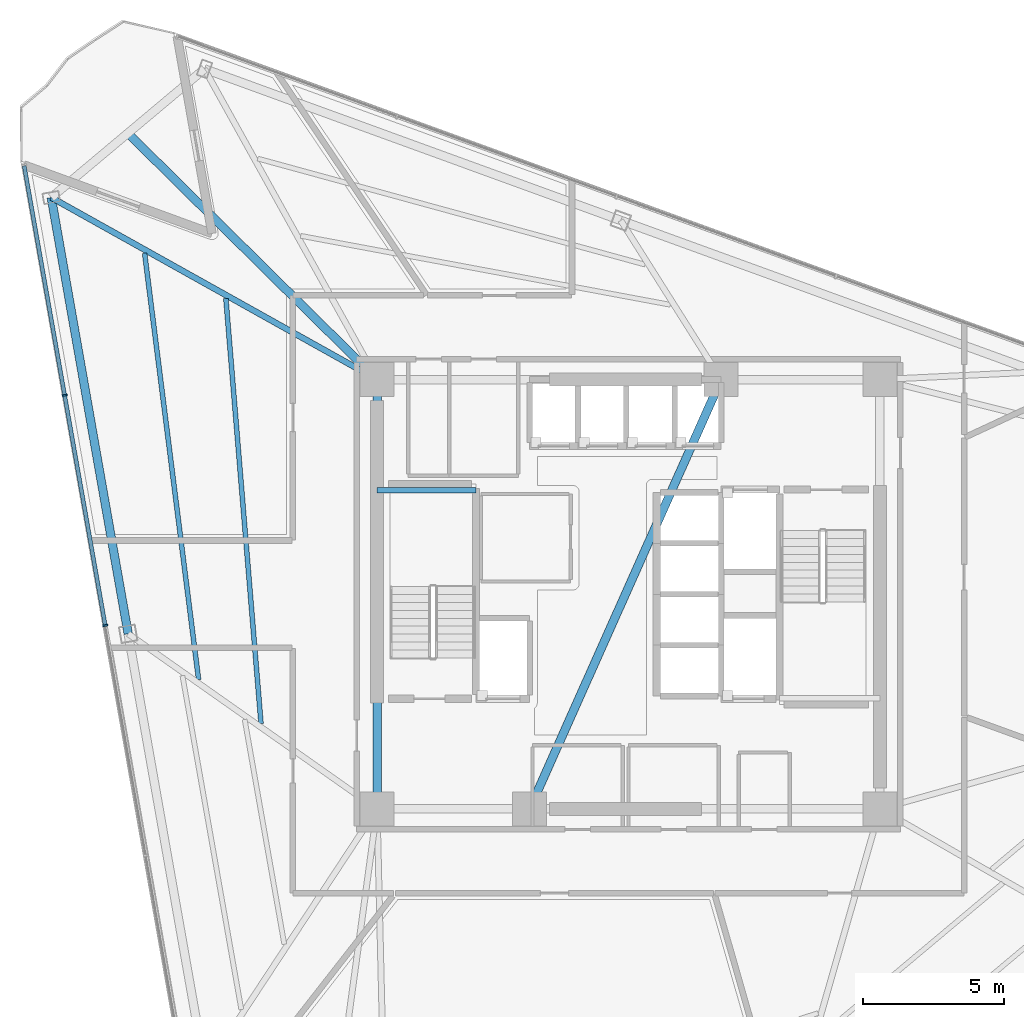
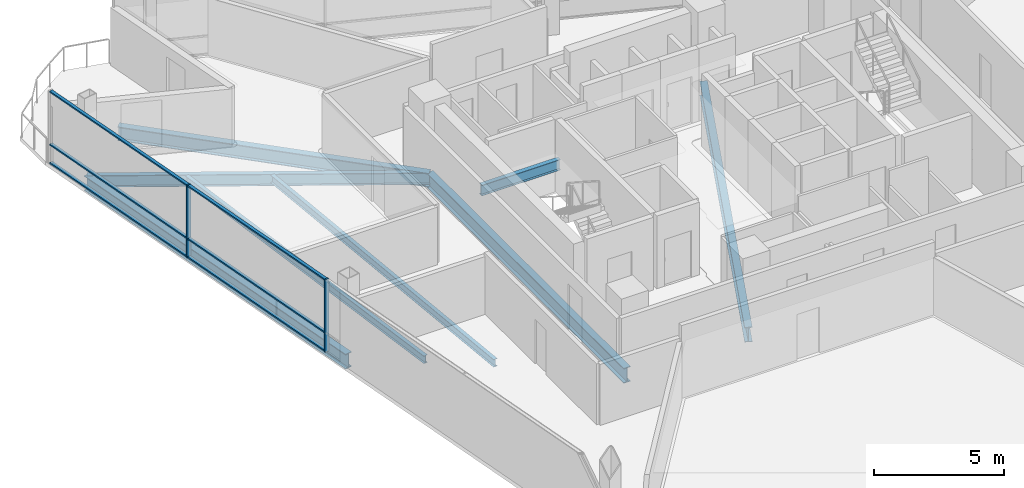
# One storey, part 5 of 16: 8 beams, 8 members, 1 element without a shape of its own.
"""IFC4 building model written with IfcOpenShell, lengths in metres."""

from ifc_helpers import new_model, si_unit, direction, frame, origin, origin_2d, place, context, subcontext, project, spatial, rectangle, i_section, extrude, material, layer, layer_set, material_profile, profile_set, type_object, element, aggregate, save


model = new_model("IFC4")

# Units and contexts
model_context = context("Model", 3, precision=1e-05, world=origin(), true_north=direction((0.0, 1.0)))
body_context = subcontext(model_context, "Body", "Model", "MODEL_VIEW")
ifc_project = project(units=[si_unit("LENGTHUNIT", "METRE"), si_unit("AREAUNIT", "SQUARE_METRE"), si_unit("VOLUMEUNIT", "CUBIC_METRE"), si_unit("PLANEANGLEUNIT", "RADIAN"), si_unit("MASSUNIT", "GRAM", prefix="KILO")], contexts=[model_context])

# Site, building, storey
site_placement = place(None, origin())
site = spatial("IfcSite", under=ifc_project, at=site_placement, CompositionType="ELEMENT")
building_placement = place(site_placement, origin())
building = spatial("IfcBuilding", under=site, at=building_placement, Name="Tharavind Bronze Gate", CompositionType="ELEMENT")
storey_placement = place(building_placement, frame((0.0, 0.0, 188.5)))
storey = spatial("IfcBuildingStorey", under=building, at=storey_placement, Name="L48", CompositionType="ELEMENT", Elevation=188.5)

# Curtain wall, members
ifc_material_1 = material(Name="Anodised Bronze Aluminium", Category="aluminium")
ifc_layer = layer(ifc_material_1, 0.219970703125)
ifc_layer_set = layer_set([ifc_layer], Name="Anodised Bronze Aluminium")
curtain_wall_type = type_object("IfcCurtainWallType", Name="UNITISED CURTAIN WALL MID OFFICE", PredefinedType="USERDEFINED", material=ifc_layer_set)
curtain_wall_placement = place(storey_placement, origin())
curtain_wall = element("IfcCurtainWall", 1, at=curtain_wall_placement, inside=storey, type_object=curtain_wall_type, Name="L48 unitised curtain wall mid office CW-L48-S1", ObjectType="UNITISED CURTAIN WALL", PredefinedType="USERDEFINED")
member_type_1 = type_object("IfcMemberType", Name="CURTAIN WALL BRONZE MULLION 65X180", PredefinedType="MULLION", material=ifc_material_1)
member_1_placement = place(storey_placement, frame((-19.9599609375, 7.044677734375, 0.0), z_axis=(0.0, 0.0, 1.0), x_axis=(0.173648177667, -0.984807753012, 0.0)))
member_1 = element("IfcMember", 2, at=member_1_placement, type_object=member_type_1, Name="CW-L48-S1 mullion 2", PredefinedType="MULLION", context=body_context, shape_type="SweptSolid", body=[
    extrude(rectangle(XDim=0.06494140625, YDim=0.179931640625, at=origin_2d()), origin(), (0.0, 0.0, 1.0), 3.419921875),
])
member_2_placement = place(storey_placement, frame((-18.5234375, -1.10302734375, 0.0), z_axis=(0.0, 0.0, 1.0), x_axis=(0.173648177667, -0.984807753012, 0.0)))
member_2 = element("IfcMember", 3, at=member_2_placement, type_object=member_type_1, Name="CW-L48-S1 mullion 3", PredefinedType="MULLION", context=body_context, shape_type="SweptSolid", body=[
    extrude(rectangle(XDim=0.06494140625, YDim=0.179931640625, at=origin_2d()), origin(), (0.0, 0.0, 1.0), 3.419921875),
])
member_type_2 = type_object("IfcMemberType", Name="CURTAIN WALL BRONZE TRANSOM 65X140", PredefinedType="USERDEFINED", material=ifc_material_1)
member_3_placement = place(storey_placement, frame((-20.678466796875, 11.118408203125, 0.0), z_axis=(0.0, 0.0, 1.0), x_axis=(0.173648177667, -0.984807753012, 0.0)))
member_3 = element("IfcMember", 4, at=member_3_placement, type_object=member_type_2, Name="CW-L48-S1 transom TB1", ObjectType="TRANSOM", PredefinedType="USERDEFINED", context=body_context, shape_type="SweptSolid", body=[
    extrude(rectangle(XDim=8.220458984375, YDim=0.139892578125, at=origin_2d()), origin(), (0.0, 0.0, 1.0), 0.06494140625),
])
member_4_placement = place(storey_placement, frame((-20.678466796875, 11.118408203125, 0.867431640625), z_axis=(0.0, 0.0, 1.0), x_axis=(0.173648177667, -0.984807753012, 0.0)))
member_4 = element("IfcMember", 5, at=member_4_placement, type_object=member_type_2, Name="CW-L48-S1 transom TS1", ObjectType="TRANSOM", PredefinedType="USERDEFINED", context=body_context, shape_type="SweptSolid", body=[
    extrude(rectangle(XDim=8.220458984375, YDim=0.139892578125, at=origin_2d()), origin(), (0.0, 0.0, 1.0), 0.06494140625),
])
member_5_placement = place(storey_placement, frame((-20.678466796875, 11.118408203125, 3.35498046875), z_axis=(0.0, 0.0, 1.0), x_axis=(0.173648177667, -0.984807753012, 0.0)))
member_5 = element("IfcMember", 6, at=member_5_placement, type_object=member_type_2, Name="CW-L48-S1 transom TT1", ObjectType="TRANSOM", PredefinedType="USERDEFINED", context=body_context, shape_type="SweptSolid", body=[
    extrude(rectangle(XDim=8.220458984375, YDim=0.139892578125, at=origin_2d()), origin(), (0.0, 0.0, 1.0), 0.06494140625),
])
member_6_placement = place(storey_placement, frame((-19.24169921875, 2.970703125, 0.0), z_axis=(0.0, 0.0, 1.0), x_axis=(0.173648177667, -0.984807753012, 0.0)))
member_6 = element("IfcMember", 7, at=member_6_placement, type_object=member_type_2, Name="CW-L48-S1 transom TB2", ObjectType="TRANSOM", PredefinedType="USERDEFINED", context=body_context, shape_type="SweptSolid", body=[
    extrude(rectangle(XDim=8.220458984375, YDim=0.139892578125, at=origin_2d()), origin(), (0.0, 0.0, 1.0), 0.06494140625),
])
member_7_placement = place(storey_placement, frame((-19.24169921875, 2.970703125, 0.867431640625), z_axis=(0.0, 0.0, 1.0), x_axis=(0.173648177667, -0.984807753012, 0.0)))
member_7 = element("IfcMember", 8, at=member_7_placement, type_object=member_type_2, Name="CW-L48-S1 transom TS2", ObjectType="TRANSOM", PredefinedType="USERDEFINED", context=body_context, shape_type="SweptSolid", body=[
    extrude(rectangle(XDim=8.220458984375, YDim=0.139892578125, at=origin_2d()), origin(), (0.0, 0.0, 1.0), 0.06494140625),
])
member_8_placement = place(storey_placement, frame((-19.24169921875, 2.970703125, 3.35498046875), z_axis=(0.0, 0.0, 1.0), x_axis=(0.173648177667, -0.984807753012, 0.0)))
member_8 = element("IfcMember", 9, at=member_8_placement, type_object=member_type_2, Name="CW-L48-S1 transom TT2", ObjectType="TRANSOM", PredefinedType="USERDEFINED", context=body_context, shape_type="SweptSolid", body=[
    extrude(rectangle(XDim=8.220458984375, YDim=0.139892578125, at=origin_2d()), origin(), (0.0, 0.0, 1.0), 0.06494140625),
])
aggregate(curtain_wall, [member_1, member_2, member_3, member_4, member_5, member_6, member_7, member_8])

# Beams
ifc_material_2 = material(Name="Steel S355", Category="steel")
ifc_material_profile_1 = material_profile(ifc_material_2, i_section(OverallWidth=0.300048828125, OverallDepth=0.64990234375, WebThickness=0.01611328125, FlangeThickness=0.031005859375, at=origin_2d()), Name="HE650B")
ifc_profile_set_1 = profile_set([ifc_material_profile_1], Name="Steel S355")
beam_type_1 = type_object("IfcBeamType", Name="PRIMARY GIRDER HE650B", PredefinedType="USERDEFINED", material=ifc_profile_set_1)
beam_1_placement = place(storey_placement, frame((-8.89990234375, 7.60009765625, -0.5048828125), z_axis=(-0.711218760843, 0.702970749196, 0.0), x_axis=(-0.702970749196, -0.711218760843, 0.0)))
element("IfcBeam", 10, at=beam_1_placement, inside=storey, type_object=beam_type_1, Name="L48 primary girder he650b BM-L48-BLCSB", ObjectType="GIRDER", PredefinedType="USERDEFINED", context=body_context, shape_type="SweptSolid", body=[
    extrude(i_section(OverallWidth=0.300048828125, OverallDepth=0.64990234375, WebThickness=0.01611328125, FlangeThickness=0.031005859375, at=origin_2d()), origin(), (0.0, 0.0, 1.0), 12.40234375),
])
ifc_material_profile_2 = material_profile(ifc_material_2, i_section(OverallWidth=0.199951171875, OverallDepth=0.5, WebThickness=0.01025390625, FlangeThickness=0.01611328125, at=origin_2d()), Name="IPE500")
ifc_profile_set_2 = profile_set([ifc_material_profile_2], Name="Steel S355")
beam_type_2 = type_object("IfcBeamType", Name="PRIMARY GIRDER IPE500", PredefinedType="USERDEFINED", material=ifc_profile_set_2)
beam_2_placement = place(storey_placement, frame((-8.89990234375, 3.679931640625, 1.35009765625), z_axis=(1.0, 0.0, 0.0), x_axis=(0.0, 1.0, 0.0)))
element("IfcBeam", 11, at=beam_2_placement, inside=storey, type_object=beam_type_2, Name="L48 primary girder ipe500 BM-LD-ST1-L48-1", ObjectType="GIRDER", PredefinedType="USERDEFINED", context=body_context, shape_type="SweptSolid", body=[
    extrude(i_section(OverallWidth=0.199951171875, OverallDepth=0.5, WebThickness=0.01025390625, FlangeThickness=0.01611328125, at=origin_2d()), origin(), (0.0, 0.0, 1.0), 3.5),
])
ifc_material_profile_3 = material_profile(ifc_material_2, i_section(OverallWidth=0.2099609375, OverallDepth=0.550048828125, WebThickness=0.010986328125, FlangeThickness=0.01708984375, at=origin_2d()), Name="IPE550")
ifc_profile_set_3 = profile_set([ifc_material_profile_3], Name="Steel S355")
beam_type_3 = type_object("IfcBeamType", Name="PRIMARY GIRDER IPE550", PredefinedType="USERDEFINED", material=ifc_profile_set_3)
beam_3_placement = place(storey_placement, frame((-20.4326171875, 14.043212890625, -0.455078125), z_axis=(0.872996251482, -0.487726916315, 0.0), x_axis=(0.487726916315, 0.872996251482, 0.0)))
element("IfcBeam", 12, at=beam_3_placement, inside=storey, type_object=beam_type_3, Name="L48 primary girder ipe550 BM-L48-RAD01", ObjectType="GIRDER", PredefinedType="USERDEFINED", context=body_context, shape_type="SweptSolid", body=[
    extrude(i_section(OverallWidth=0.2099609375, OverallDepth=0.550048828125, WebThickness=0.010986328125, FlangeThickness=0.01708984375, at=origin_2d()), origin(), (0.0, 0.0, 1.0), 13.21044921875),
])
ifc_material_profile_4 = material_profile(ifc_material_2, i_section(OverallWidth=0.300048828125, OverallDepth=0.699951171875, WebThickness=0.01708984375, FlangeThickness=0.031982421875, at=origin_2d()), Name="HE700B")
ifc_profile_set_4 = profile_set([ifc_material_profile_4], Name="Steel S355")
beam_type_4 = type_object("IfcBeamType", Name="RING GIRDER HE700B", PredefinedType="USERDEFINED", material=ifc_profile_set_4)
beam_4_placement = place(storey_placement, frame((-8.89990234375, 7.60009765625, -0.530029296875), z_axis=(0.0, -1.0, 0.0), x_axis=(1.0, 0.0, 0.0)))
element("IfcBeam", 13, at=beam_4_placement, inside=storey, type_object=beam_type_4, Name="L48 ring girder he700b BM-L48-CR6", ObjectType="GIRDER", PredefinedType="USERDEFINED", context=body_context, shape_type="SweptSolid", body=[
    extrude(i_section(OverallWidth=0.300048828125, OverallDepth=0.699951171875, WebThickness=0.01708984375, FlangeThickness=0.031982421875, at=origin_2d()), origin(), (0.0, 0.0, 1.0), 15.2001953125),
])
beam_5_placement = place(storey_placement, frame((-3.5, -7.60009765625, -0.530029296875), z_axis=(0.407361644566, 0.913266932795, 0.0), x_axis=(-0.913266932795, 0.407361644566, 0.0)))
element("IfcBeam", 14, at=beam_5_placement, inside=storey, type_object=beam_type_4, Name="L48 ring girder he700b BM-L48-CR7", ObjectType="GIRDER", PredefinedType="USERDEFINED", context=body_context, shape_type="SweptSolid", body=[
    extrude(i_section(OverallWidth=0.300048828125, OverallDepth=0.699951171875, WebThickness=0.01708984375, FlangeThickness=0.031982421875, at=origin_2d()), origin(), (0.0, 0.0, 1.0), 16.643798828125),
])
beam_6_placement = place(storey_placement, frame((-20.4326171875, 14.043212890625, -0.530029296875), z_axis=(0.173644998979, -0.984808313495, 0.0), x_axis=(0.984808313495, 0.173644998979, 0.0)))
element("IfcBeam", 15, at=beam_6_placement, inside=storey, type_object=beam_type_4, Name="L48 ring girder he700b BM-L48-PRG01", ObjectType="GIRDER", PredefinedType="USERDEFINED", context=body_context, shape_type="SweptSolid", body=[
    extrude(i_section(OverallWidth=0.300048828125, OverallDepth=0.699951171875, WebThickness=0.01708984375, FlangeThickness=0.031982421875, at=origin_2d()), origin(), (0.0, 0.0, 1.0), 15.680908203125),
])
ifc_material_profile_5 = material_profile(ifc_material_2, i_section(OverallWidth=0.169921875, OverallDepth=0.360107421875, WebThickness=0.008056640625, FlangeThickness=0.0126953125, at=origin_2d()), Name="IPE360")
ifc_profile_set_5 = profile_set([ifc_material_profile_5], Name="Steel S355")
beam_type_5 = type_object("IfcBeamType", Name="SECONDARY FLOOR JOIST IPE360", PredefinedType="JOIST", material=ifc_profile_set_5)
beam_7_placement = place(storey_placement, frame((-14.251953125, 10.466064453125, -0.360107421875), z_axis=(0.082410961919, -0.996598431343, 0.0), x_axis=(0.996598431343, 0.082410961919, 0.0)))
element("IfcBeam", 16, at=beam_7_placement, inside=storey, type_object=beam_type_5, Name="L48 secondary floor joist ipe360 BM-L48-JSTA01", PredefinedType="JOIST", context=body_context, shape_type="SweptSolid", body=[
    extrude(i_section(OverallWidth=0.169921875, OverallDepth=0.360107421875, WebThickness=0.008056640625, FlangeThickness=0.0126953125, at=origin_2d()), origin(), (0.0, 0.0, 1.0), 15.09375),
])
beam_8_placement = place(storey_placement, frame((-17.12890625, 12.073486328125, -0.360107421875), z_axis=(0.125636159432, -0.992076385891, 0.0), x_axis=(0.992076385891, 0.125636159432, 0.0)))
element("IfcBeam", 17, at=beam_8_placement, inside=storey, type_object=beam_type_5, Name="L48 secondary floor joist ipe360 BM-L48-JSTB01", PredefinedType="JOIST", context=body_context, shape_type="SweptSolid", body=[
    extrude(i_section(OverallWidth=0.169921875, OverallDepth=0.360107421875, WebThickness=0.008056640625, FlangeThickness=0.0126953125, at=origin_2d()), origin(), (0.0, 0.0, 1.0), 15.215576171875),
])

save(model, "model.ifc")
